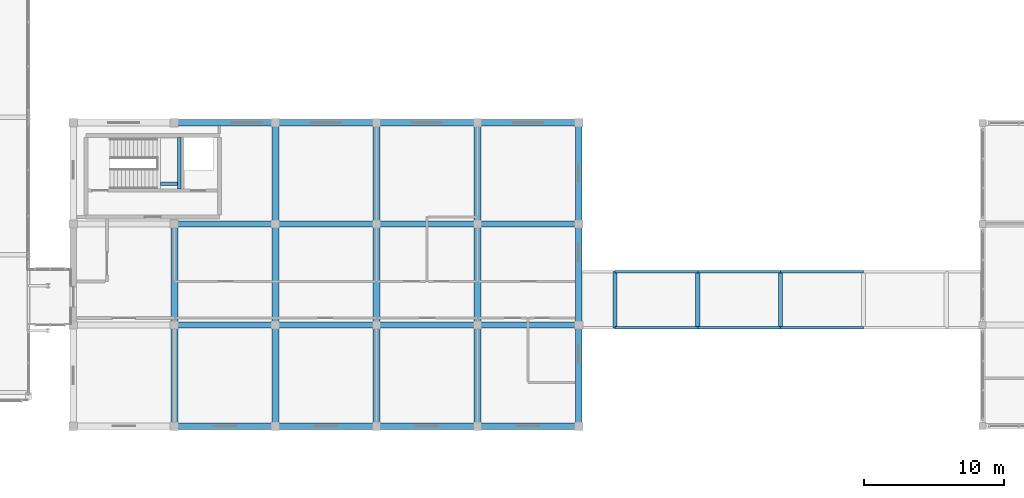
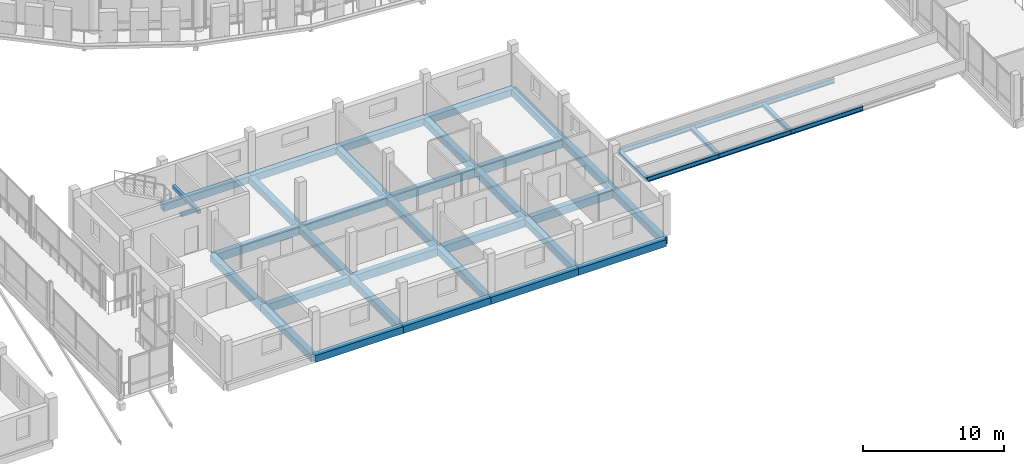
# One storey, part 35 of 128: 41 beams.
"""IFC4 building model written with IfcOpenShell, lengths in metres."""

import ifcopenshell
import ifcopenshell.guid

model = None  # the IFC model being written
_history = None  # IfcOwnerHistory: only IFC2X3 demands one
_inside = {}  # id of a spatial element -> (the spatial element, [elements in it])
_under = {}  # id of a project, library or spatial element -> (it, [spatial elements below it])
_declared = {}  # id of a project -> (the project, [libraries it declares])
_typed = {}  # id of a type object -> (the type object, [elements of that type])
_made_of = {}  # id of a material, layer set ... -> (it, [elements and type objects made of it])


def new_model(schema):
    """Start an empty IFC model of exactly this schema.

    Asked for "IFC4X3", IfcOpenShell would pick the latest addendum, in which some entities
    have other attributes; the version numbers below select the first issue.
    IFC2X3 requires an IfcOwnerHistory on every rooted entity: one is made here for all.
    """
    global model, _history
    if schema == "IFC4X3":
        model = ifcopenshell.file(schema_version=(4, 3, 0, 0))
    else:
        model = ifcopenshell.file(schema=schema)
    _inside.clear()
    _under.clear()
    _declared.clear()
    _typed.clear()
    _made_of.clear()
    _history = None
    if model.schema == "IFC2X3":
        org = make("IfcOrganization", Name="unknown")
        user = make(
            "IfcPersonAndOrganization",
            ThePerson=make("IfcPerson", FamilyName="unknown"),
            TheOrganization=org,
        )
        app = make(
            "IfcApplication",
            ApplicationDeveloper=org,
            Version="unknown",
            ApplicationFullName="unknown",
            ApplicationIdentifier="unknown",
        )
        _history = make(
            "IfcOwnerHistory",
            OwningUser=user,
            OwningApplication=app,
            ChangeAction="ADDED",
            CreationDate=0,
        )
    return model


def make(cls, **values):
    """One entity of the class cls with the attributes given. An attribute that is None is left unset."""
    return model.create_entity(
        cls, **{name: value for name, value in values.items() if value is not None}
    )


def rooted(cls, **values):
    """An entity with a GlobalId (a new one), such as an element, a storey or a relation."""
    return make(cls, GlobalId=ifcopenshell.guid.new(), OwnerHistory=_history, **values)


def si_unit(unit_type, name, prefix=None):
    """IfcSIUnit, for example si_unit("LENGTHUNIT", "METRE", prefix="MILLI")."""
    return make("IfcSIUnit", UnitType=unit_type, Prefix=prefix, Name=name)


def assignment(units):
    """IfcUnitAssignment: the units of a project."""
    return None if units is None else make("IfcUnitAssignment", Units=units)


def point(xyz):
    """IfcCartesianPoint."""
    return None if xyz is None else make("IfcCartesianPoint", Coordinates=xyz)


def direction(xyz):
    """IfcDirection."""
    return None if xyz is None else make("IfcDirection", DirectionRatios=xyz)


def frame(location, z_axis=None, x_axis=None):
    """IfcAxis2Placement3D, a coordinate frame: its origin and axes. An axis left out is left unset."""
    return make(
        "IfcAxis2Placement3D",
        Location=point(location),
        Axis=direction(z_axis),
        RefDirection=direction(x_axis),
    )


def frame_2d(location, x_axis=None):
    """IfcAxis2Placement2D, a coordinate frame in the plane: its origin and x axis."""
    return make(
        "IfcAxis2Placement2D", Location=point(location), RefDirection=direction(x_axis)
    )


def origin():
    """The frame at (0, 0, 0) with its axes left unset."""
    return frame((0.0, 0.0, 0.0))


def origin_2d():
    """The frame at (0, 0) in the plane with its x axis left unset."""
    return frame_2d((0.0, 0.0))


def place(relative_to, where):
    """IfcLocalPlacement: puts the frame where relative to a parent placement (None: the world)."""
    return make(
        "IfcLocalPlacement", PlacementRelTo=relative_to, RelativePlacement=where
    )


def context(
    kind, dimensions, precision=None, world=None, true_north=None, identifier=None
):
    """IfcGeometricRepresentationContext, for example the 3D "Model" context."""
    return make(
        "IfcGeometricRepresentationContext",
        ContextIdentifier=identifier,
        ContextType=kind,
        CoordinateSpaceDimension=dimensions,
        Precision=precision,
        WorldCoordinateSystem=world,
        TrueNorth=true_north,
    )


def subcontext(parent, identifier, kind, view, scale=None):
    """IfcGeometricRepresentationSubContext, for example "Body" below "Model"."""
    return make(
        "IfcGeometricRepresentationSubContext",
        ContextIdentifier=identifier,
        ContextType=kind,
        ParentContext=parent,
        TargetScale=scale,
        TargetView=view,
    )


def project(units=None, contexts=None):
    """IfcProject with its units and contexts."""
    return rooted(
        "IfcProject",
        Name="project",
        RepresentationContexts=contexts,
        UnitsInContext=assignment(units),
    )


def spatial(cls, under=None, at=None, **own):
    """A site, building, storey or space (cls), placed at a placement, below another one or the project."""
    s = rooted(cls, ObjectPlacement=at, **own)
    if under is not None:
        _under.setdefault(under.id(), (under, []))[1].append(s)
    return s


def profile(cls, at=None, kind="AREA", **sizes):
    """A parametric profile (cls). Its sizes go by their IFC names, for example OverallWidth=200.0."""
    return make(cls, ProfileType=kind, Position=at, **sizes)


def rectangle(**sizes):
    """IfcRectangleProfileDef."""
    return profile("IfcRectangleProfileDef", **sizes)


def i_section(**sizes):
    """IfcIShapeProfileDef."""
    return profile("IfcIShapeProfileDef", **sizes)


def extrude(swept, where, along, depth):
    """IfcExtrudedAreaSolid: the profile swept, set in the frame where, extruded along a direction by depth."""
    return make(
        "IfcExtrudedAreaSolid",
        SweptArea=swept,
        Position=where,
        ExtrudedDirection=direction(along),
        Depth=depth,
    )


def shape(context_of_items, identifier, shape_type, items):
    """IfcShapeRepresentation: the items that make up one representation, for example the "Body"."""
    return make(
        "IfcShapeRepresentation",
        ContextOfItems=context_of_items,
        RepresentationIdentifier=identifier,
        RepresentationType=shape_type,
        Items=items,
    )


def material(Name=None, Category=None):
    """IfcMaterial."""
    return make("IfcMaterial", Name=Name, Category=Category)


def material_profile(
    of_material, cross_section, Name=None, Category=None, Priority=None
):
    """IfcMaterialProfile: a cross section and its material."""
    return make(
        "IfcMaterialProfile",
        Name=Name,
        Material=of_material,
        Profile=cross_section,
        Priority=Priority,
        Category=Category,
    )


def profile_set(profiles, Name=None, composite=None):
    """IfcMaterialProfileSet."""
    return make(
        "IfcMaterialProfileSet",
        Name=Name,
        MaterialProfiles=profiles,
        CompositeProfile=composite,
    )


def made_of(thing, what):
    """Note that an element or type object is made of a material, layer set ...; save() writes the relation."""
    if what is not None:
        _made_of.setdefault(what.id(), (what, []))[1].append(thing)
    return thing


def type_object(cls, material=None, **own):
    """A type object (cls), such as IfcWallType, which elements share."""
    return made_of(rooted(cls, **own), material)


def element(
    cls,
    number,
    at=None,
    inside=None,
    cuts=None,
    type_object=None,
    material=None,
    context=None,
    identifier="Body",
    shape_type=None,
    held_by="IfcProductDefinitionShape",
    body=None,
    shapes=None,
    **own,
):
    """One element of the class cls, such as IfcWall. Its Tag is "e" and its number.

    at: its placement. inside: the storey or other place that contains it. cuts: it is an
    opening in that element (IfcRelVoidsElement). A single representation is given by context,
    identifier, shape_type and body (its items); several are given by shapes. held_by: the class
    of the entity that holds the representations. save() writes the other relations.
    """
    e = rooted(cls, Tag="e%d" % number, ObjectPlacement=at, **own)
    if body is not None:
        shapes = [shape(context, identifier, shape_type, body)]
    if shapes is not None:
        e.Representation = make(held_by, Representations=shapes)
    if inside is not None:
        _inside.setdefault(inside.id(), (inside, []))[1].append(e)
    if cuts is not None:
        rooted(
            "IfcRelVoidsElement", RelatingBuildingElement=cuts, RelatedOpeningElement=e
        )
    if type_object is not None:
        _typed.setdefault(type_object.id(), (type_object, []))[1].append(e)
    return made_of(e, material)


def aggregate(whole, parts):
    """IfcRelAggregates: a whole, such as a stair, and the parts it consists of."""
    return rooted("IfcRelAggregates", RelatingObject=whole, RelatedObjects=parts)


def save(model, path):
    """Write the relations noted so far, then the file.

    IfcRelAggregates (storeys below a building ...), IfcRelContainedInSpatialStructure (elements
    in a storey), IfcRelDefinesByType, IfcRelAssociatesMaterial and IfcRelDeclares: one each for
    every whole, place, type object, material and project.
    """
    for whole, parts in _under.values():
        aggregate(whole, parts)
    for where, things in _inside.values():
        rooted(
            "IfcRelContainedInSpatialStructure",
            RelatedElements=things,
            RelatingStructure=where,
        )
    for kind, things in _typed.values():
        rooted("IfcRelDefinesByType", RelatedObjects=things, RelatingType=kind)
    for what, things in _made_of.values():
        rooted("IfcRelAssociatesMaterial", RelatedObjects=things, RelatingMaterial=what)
    for by, libraries in _declared.values():
        rooted("IfcRelDeclares", RelatingContext=by, RelatedDefinitions=libraries)
    model.write(path)


model = new_model("IFC4")

# Units and contexts
model_context = context("Model", 3, precision=1e-05, world=origin(), true_north=direction((0.0, 1.0)))
body_context = subcontext(model_context, "Body", "Model", "MODEL_VIEW")
ifc_project = project(units=[si_unit("LENGTHUNIT", "METRE"), si_unit("AREAUNIT", "SQUARE_METRE"), si_unit("VOLUMEUNIT", "CUBIC_METRE"), si_unit("PLANEANGLEUNIT", "RADIAN"), si_unit("MASSUNIT", "GRAM", prefix="KILO")], contexts=[model_context])

# Site, building, storey
site_placement = place(None, origin())
site = spatial("IfcSite", under=ifc_project, at=site_placement, CompositionType="ELEMENT")
building_placement = place(site_placement, origin())
building = spatial("IfcBuilding", under=site, at=building_placement, Name="Zornivar Specialist Clinic", CompositionType="ELEMENT")
storey_placement = place(building_placement, frame((0.0, 0.0, 4.5)))
storey = spatial("IfcBuildingStorey", under=building, at=storey_placement, Name="L01", CompositionType="ELEMENT", Elevation=4.5)

# Beams
ifc_material_1 = material(Name="Concrete C30/37", Category="concrete")
ifc_material_profile_1 = material_profile(ifc_material_1, rectangle(XDim=0.25, YDim=0.300048828125, at=origin_2d()), Name="RC 250x300")
ifc_profile_set_1 = profile_set([ifc_material_profile_1], Name="Concrete C30/37")
beam_type_1 = type_object("IfcBeamType", Name="BM-LAND-250x300", PredefinedType="BEAM", material=ifc_profile_set_1)
beam_1_placement = place(storey_placement, frame((65.159912109375, 16.89990234375, 1.6201171875), z_axis=(0.0, 1.0, 0.0), x_axis=(-1.0, 0.0, 0.0)))
element("IfcBeam", 1, at=beam_1_placement, inside=storey, type_object=beam_type_1, Name="bm:stair:C5:L01:lE", PredefinedType="BEAM", context=body_context, shape_type="SweptSolid", body=[
    extrude(rectangle(XDim=0.25, YDim=0.300048828125, at=origin_2d()), origin(), (0.0, 0.0, 1.0), 3.66015625),
])
beam_2_placement = place(storey_placement, frame((63.81494140625, 17.280029296875, 1.6201171875), z_axis=(1.0, 0.0, 0.0), x_axis=(0.0, 1.0, 0.0)))
element("IfcBeam", 2, at=beam_2_placement, inside=storey, type_object=beam_type_1, Name="bm:stair:C5:L01:lS", PredefinedType="BEAM", context=body_context, shape_type="SweptSolid", body=[
    extrude(rectangle(XDim=0.25, YDim=0.300048828125, at=origin_2d()), origin(), (0.0, 0.0, 1.0), 1.2099609375),
])
ifc_material_2 = material(Name="Concrete C30/37", Category="concrete")
ifc_material_profile_2 = material_profile(ifc_material_2, rectangle(XDim=0.449951171875, YDim=0.699951171875, at=origin_2d()), Name="RC 450x700")
ifc_profile_set_2 = profile_set([ifc_material_profile_2], Name="Concrete C30/37")
beam_type_2 = type_object("IfcBeamType", Name="BM-RC-450x700", PredefinedType="BEAM", material=ifc_profile_set_2)
for number, where, z_axis, x_axis, name in (
    (3, (64.800048828125, 7.199951171875, -0.699951171875), (1.0, 0.0, 0.0), (0.0, 1.0, 0.0), "bm:V3:L01:x:72:1"),
    (4, (72.0, 7.199951171875, -0.699951171875), (1.0, 0.0, 0.0), (0.0, 1.0, 0.0), "bm:V3:L01:x:72:2"),
    (5, (79.199951171875, 7.199951171875, -0.699951171875), (1.0, 0.0, 0.0), (0.0, 1.0, 0.0), "bm:V3:L01:x:72:3"),
):
    element("IfcBeam", number, at=place(storey_placement, frame(where, z_axis=z_axis, x_axis=x_axis)), inside=storey, type_object=beam_type_2, Name=name, PredefinedType="BEAM", context=body_context, shape_type="SweptSolid", body=[
        extrude(rectangle(XDim=0.449951171875, YDim=0.699951171875, at=origin_2d()), origin(), (0.0, 0.0, 1.0), 7.199951171875),
    ])
beam_3_placement = place(storey_placement, frame((86.39990234375, 7.199951171875, -0.699951171875), z_axis=(1.0, 0.0, 0.0), x_axis=(0.0, 1.0, 0.0)))
element("IfcBeam", 6, at=beam_3_placement, inside=storey, type_object=beam_type_2, Name="bm:V3:L01:x:72:4", PredefinedType="BEAM", context=body_context, shape_type="SweptSolid", body=[
    extrude(rectangle(XDim=0.449951171875, YDim=0.699951171875, at=origin_2d()), origin(), (0.0, 0.0, 1.0), 7.2001953125),
])
for number, where, z_axis, x_axis, name in (
    (7, (64.800048828125, 14.39990234375, -0.699951171875), (1.0, 0.0, 0.0), (0.0, 1.0, 0.0), "bm:V3:L01:x:144:1"),
    (8, (72.0, 14.39990234375, -0.699951171875), (1.0, 0.0, 0.0), (0.0, 1.0, 0.0), "bm:V3:L01:x:144:2"),
    (9, (79.199951171875, 14.39990234375, -0.699951171875), (1.0, 0.0, 0.0), (0.0, 1.0, 0.0), "bm:V3:L01:x:144:3"),
):
    element("IfcBeam", number, at=place(storey_placement, frame(where, z_axis=z_axis, x_axis=x_axis)), inside=storey, type_object=beam_type_2, Name=name, PredefinedType="BEAM", context=body_context, shape_type="SweptSolid", body=[
        extrude(rectangle(XDim=0.449951171875, YDim=0.699951171875, at=origin_2d()), origin(), (0.0, 0.0, 1.0), 7.199951171875),
    ])
beam_4_placement = place(storey_placement, frame((86.39990234375, 14.39990234375, -0.699951171875), z_axis=(1.0, 0.0, 0.0), x_axis=(0.0, 1.0, 0.0)))
element("IfcBeam", 10, at=beam_4_placement, inside=storey, type_object=beam_type_2, Name="bm:V3:L01:x:144:4", PredefinedType="BEAM", context=body_context, shape_type="SweptSolid", body=[
    extrude(rectangle(XDim=0.449951171875, YDim=0.699951171875, at=origin_2d()), origin(), (0.0, 0.0, 1.0), 7.2001953125),
])
ifc_material_3 = material(Name="Concrete C30/37", Category="concrete")
ifc_material_profile_3 = material_profile(ifc_material_3, rectangle(XDim=0.47998046875, YDim=0.60009765625, at=origin_2d()), Name="RC 480x600")
ifc_profile_set_3 = profile_set([ifc_material_profile_3], Name="Concrete C30/37")
beam_type_3 = type_object("IfcBeamType", Name="BM-RC-480x600", PredefinedType="BEAM", material=ifc_profile_set_3)
for number, where, z_axis, x_axis, name in (
    (11, (64.800048828125, 0.0, -0.64990234375), (0.0, 1.0, 0.0), (-1.0, 0.0, 0.0), "bm:V3:L01:y:648:0"),
    (12, (64.800048828125, 7.199951171875, -0.64990234375), (0.0, 1.0, 0.0), (-1.0, 0.0, 0.0), "bm:V3:L01:y:648:1"),
    (13, (72.0, 0.0, -0.64990234375), (0.0, 1.0, 0.0), (-1.0, 0.0, 0.0), "bm:V3:L01:y:720:0"),
    (14, (72.0, 7.199951171875, -0.64990234375), (0.0, 1.0, 0.0), (-1.0, 0.0, 0.0), "bm:V3:L01:y:720:1"),
):
    element("IfcBeam", number, at=place(storey_placement, frame(where, z_axis=z_axis, x_axis=x_axis)), inside=storey, type_object=beam_type_3, Name=name, PredefinedType="BEAM", context=body_context, shape_type="SweptSolid", body=[
        extrude(rectangle(XDim=0.47998046875, YDim=0.60009765625, at=origin_2d()), origin(), (0.0, 0.0, 1.0), 7.199951171875),
    ])
beam_5_placement = place(storey_placement, frame((72.0, 14.39990234375, -0.64990234375), z_axis=(0.0, 1.0, 0.0), x_axis=(-1.0, 0.0, 0.0)))
element("IfcBeam", 15, at=beam_5_placement, inside=storey, type_object=beam_type_3, Name="bm:V3:L01:y:720:2", PredefinedType="BEAM", context=body_context, shape_type="SweptSolid", body=[
    extrude(rectangle(XDim=0.47998046875, YDim=0.60009765625, at=origin_2d()), origin(), (0.0, 0.0, 1.0), 7.2001953125),
])
for number, where, z_axis, x_axis, name in (
    (16, (79.199951171875, 0.0, -0.64990234375), (0.0, 1.0, 0.0), (-1.0, 0.0, 0.0), "bm:V3:L01:y:792:0"),
    (17, (79.199951171875, 7.199951171875, -0.64990234375), (0.0, 1.0, 0.0), (-1.0, 0.0, 0.0), "bm:V3:L01:y:792:1"),
):
    element("IfcBeam", number, at=place(storey_placement, frame(where, z_axis=z_axis, x_axis=x_axis)), inside=storey, type_object=beam_type_3, Name=name, PredefinedType="BEAM", context=body_context, shape_type="SweptSolid", body=[
        extrude(rectangle(XDim=0.47998046875, YDim=0.60009765625, at=origin_2d()), origin(), (0.0, 0.0, 1.0), 7.199951171875),
    ])
beam_6_placement = place(storey_placement, frame((79.199951171875, 14.39990234375, -0.64990234375), z_axis=(0.0, 1.0, 0.0), x_axis=(-1.0, 0.0, 0.0)))
element("IfcBeam", 18, at=beam_6_placement, inside=storey, type_object=beam_type_3, Name="bm:V3:L01:y:792:2", PredefinedType="BEAM", context=body_context, shape_type="SweptSolid", body=[
    extrude(rectangle(XDim=0.47998046875, YDim=0.60009765625, at=origin_2d()), origin(), (0.0, 0.0, 1.0), 7.2001953125),
])
for number, where, z_axis, x_axis, name in (
    (19, (86.39990234375, 0.0, -0.64990234375), (0.0, 1.0, 0.0), (-1.0, 0.0, 0.0), "bm:V3:L01:y:864:0"),
    (20, (86.39990234375, 7.199951171875, -0.64990234375), (0.0, 1.0, 0.0), (-1.0, 0.0, 0.0), "bm:V3:L01:y:864:1"),
):
    element("IfcBeam", number, at=place(storey_placement, frame(where, z_axis=z_axis, x_axis=x_axis)), inside=storey, type_object=beam_type_3, Name=name, PredefinedType="BEAM", context=body_context, shape_type="SweptSolid", body=[
        extrude(rectangle(XDim=0.47998046875, YDim=0.60009765625, at=origin_2d()), origin(), (0.0, 0.0, 1.0), 7.199951171875),
    ])
beam_7_placement = place(storey_placement, frame((86.39990234375, 14.39990234375, -0.64990234375), z_axis=(0.0, 1.0, 0.0), x_axis=(-1.0, 0.0, 0.0)))
element("IfcBeam", 21, at=beam_7_placement, inside=storey, type_object=beam_type_3, Name="bm:V3:L01:y:864:2", PredefinedType="BEAM", context=body_context, shape_type="SweptSolid", body=[
    extrude(rectangle(XDim=0.47998046875, YDim=0.60009765625, at=origin_2d()), origin(), (0.0, 0.0, 1.0), 7.2001953125),
])
ifc_material_4 = material(Name="Concrete C30/37", Category="concrete")
ifc_material_profile_4 = material_profile(ifc_material_4, rectangle(XDim=0.4599609375, YDim=0.60009765625, at=origin_2d()), Name="RC 460x600")
ifc_profile_set_4 = profile_set([ifc_material_profile_4], Name="Concrete C30/37")
beam_type_4 = type_object("IfcBeamType", Name="BM-RC-SPANDREL-460x600", PredefinedType="SPANDREL", material=ifc_profile_set_4)
for number, where, z_axis, x_axis, name in (
    (22, (64.800048828125, 0.0, -0.64990234375), (1.0, 0.0, 0.0), (0.0, 1.0, 0.0), "bm:V3:L01:x:0:1"),
    (23, (72.0, 0.0, -0.64990234375), (1.0, 0.0, 0.0), (0.0, 1.0, 0.0), "bm:V3:L01:x:0:2"),
    (24, (79.199951171875, 0.0, -0.64990234375), (1.0, 0.0, 0.0), (0.0, 1.0, 0.0), "bm:V3:L01:x:0:3"),
):
    element("IfcBeam", number, at=place(storey_placement, frame(where, z_axis=z_axis, x_axis=x_axis)), inside=storey, type_object=beam_type_4, Name=name, PredefinedType="SPANDREL", context=body_context, shape_type="SweptSolid", body=[
        extrude(rectangle(XDim=0.4599609375, YDim=0.60009765625, at=origin_2d()), origin(), (0.0, 0.0, 1.0), 7.199951171875),
    ])
beam_8_placement = place(storey_placement, frame((86.39990234375, 0.0, -0.64990234375), z_axis=(1.0, 0.0, 0.0), x_axis=(0.0, 1.0, 0.0)))
element("IfcBeam", 25, at=beam_8_placement, inside=storey, type_object=beam_type_4, Name="bm:V3:L01:x:0:4", PredefinedType="SPANDREL", context=body_context, shape_type="SweptSolid", body=[
    extrude(rectangle(XDim=0.4599609375, YDim=0.60009765625, at=origin_2d()), origin(), (0.0, 0.0, 1.0), 7.2001953125),
])
for number, where, z_axis, x_axis, name in (
    (26, (64.800048828125, 21.60009765625, -0.64990234375), (1.0, 0.0, 0.0), (0.0, 1.0, 0.0), "bm:V3:L01:x:216:1"),
    (27, (72.0, 21.60009765625, -0.64990234375), (1.0, 0.0, 0.0), (0.0, 1.0, 0.0), "bm:V3:L01:x:216:2"),
    (28, (79.199951171875, 21.60009765625, -0.64990234375), (1.0, 0.0, 0.0), (0.0, 1.0, 0.0), "bm:V3:L01:x:216:3"),
):
    element("IfcBeam", number, at=place(storey_placement, frame(where, z_axis=z_axis, x_axis=x_axis)), inside=storey, type_object=beam_type_4, Name=name, PredefinedType="SPANDREL", context=body_context, shape_type="SweptSolid", body=[
        extrude(rectangle(XDim=0.4599609375, YDim=0.60009765625, at=origin_2d()), origin(), (0.0, 0.0, 1.0), 7.199951171875),
    ])
beam_9_placement = place(storey_placement, frame((86.39990234375, 21.60009765625, -0.64990234375), z_axis=(1.0, 0.0, 0.0), x_axis=(0.0, 1.0, 0.0)))
element("IfcBeam", 29, at=beam_9_placement, inside=storey, type_object=beam_type_4, Name="bm:V3:L01:x:216:4", PredefinedType="SPANDREL", context=body_context, shape_type="SweptSolid", body=[
    extrude(rectangle(XDim=0.4599609375, YDim=0.60009765625, at=origin_2d()), origin(), (0.0, 0.0, 1.0), 7.2001953125),
])
for number, where, z_axis, x_axis, name in (
    (30, (93.60009765625, 0.0, -0.64990234375), (0.0, 1.0, 0.0), (-1.0, 0.0, 0.0), "bm:V3:L01:y:936:0"),
    (31, (93.60009765625, 7.199951171875, -0.64990234375), (0.0, 1.0, 0.0), (-1.0, 0.0, 0.0), "bm:V3:L01:y:936:1"),
):
    element("IfcBeam", number, at=place(storey_placement, frame(where, z_axis=z_axis, x_axis=x_axis)), inside=storey, type_object=beam_type_4, Name=name, PredefinedType="SPANDREL", context=body_context, shape_type="SweptSolid", body=[
        extrude(rectangle(XDim=0.4599609375, YDim=0.60009765625, at=origin_2d()), origin(), (0.0, 0.0, 1.0), 7.199951171875),
    ])
beam_10_placement = place(storey_placement, frame((93.60009765625, 14.39990234375, -0.64990234375), z_axis=(0.0, 1.0, 0.0), x_axis=(-1.0, 0.0, 0.0)))
element("IfcBeam", 32, at=beam_10_placement, inside=storey, type_object=beam_type_4, Name="bm:V3:L01:y:936:2", PredefinedType="SPANDREL", context=body_context, shape_type="SweptSolid", body=[
    extrude(rectangle(XDim=0.4599609375, YDim=0.60009765625, at=origin_2d()), origin(), (0.0, 0.0, 1.0), 7.2001953125),
])
ifc_material_5 = material(Name="Steel S355J2", Category="steel")
ifc_material_profile_5 = material_profile(ifc_material_5, i_section(OverallWidth=0.300048828125, OverallDepth=0.31005859375, WebThickness=0.009033203125, FlangeThickness=0.015380859375, FilletRadius=0.027099609375, at=origin_2d()), Name="HEA 320")
ifc_profile_set_5 = profile_set([ifc_material_profile_5], Name="Steel S355J2")
beam_type_5 = type_object("IfcBeamType", Name="BM-STL-HEA320", PredefinedType="BEAM", material=ifc_profile_set_5)
for number, where, z_axis, x_axis, name in (
    (33, (96.199951171875, 7.0, -0.419921875), (0.0, 1.0, 0.0), (-1.0, 0.0, 0.0), "bm:BR4:L01:t:962"),
    (34, (102.10009765625, 7.0, -0.419921875), (0.0, 1.0, 0.0), (-1.0, 0.0, 0.0), "bm:BR4:L01:t:1021"),
    (35, (108.0, 7.0, -0.419921875), (0.0, 1.0, 0.0), (-1.0, 0.0, 0.0), "bm:BR4:L01:t:1080"),
):
    element("IfcBeam", number, at=place(storey_placement, frame(where, z_axis=z_axis, x_axis=x_axis)), inside=storey, type_object=beam_type_5, Name=name, PredefinedType="BEAM", context=body_context, shape_type="SweptSolid", body=[
        extrude(i_section(OverallWidth=0.300048828125, OverallDepth=0.31005859375, WebThickness=0.009033203125, FlangeThickness=0.015380859375, FilletRadius=0.027099609375, at=origin_2d()), origin(), (0.0, 0.0, 1.0), 4.0),
    ])
ifc_material_6 = material(Name="Steel S355J2", Category="steel")
ifc_material_profile_6 = material_profile(ifc_material_6, i_section(OverallWidth=0.179931640625, OverallDepth=0.39990234375, WebThickness=0.008544921875, FlangeThickness=0.013427734375, FilletRadius=0.02099609375, at=origin_2d()), Name="IPE 400")
ifc_profile_set_6 = profile_set([ifc_material_profile_6], Name="Steel S355J2")
beam_type_6 = type_object("IfcBeamType", Name="BM-STL-IPE400", PredefinedType="BEAM", material=ifc_profile_set_6)
beam_11_placement = place(storey_placement, frame((96.199951171875, 7.0, -0.419921875), z_axis=(1.0, 0.0, 0.0), x_axis=(0.0, 1.0, 0.0)))
element("IfcBeam", 36, at=beam_11_placement, inside=storey, type_object=beam_type_6, Name="bm:BR4:L01:g:70:0", PredefinedType="BEAM", context=body_context, shape_type="SweptSolid", body=[
    extrude(i_section(OverallWidth=0.179931640625, OverallDepth=0.39990234375, WebThickness=0.008544921875, FlangeThickness=0.013427734375, FilletRadius=0.02099609375, at=origin_2d()), origin(), (0.0, 0.0, 1.0), 5.900146484375),
])
for number, where, z_axis, x_axis, name in (
    (37, (102.10009765625, 7.0, -0.419921875), (1.0, 0.0, 0.0), (0.0, 1.0, 0.0), "bm:BR4:L01:g:70:1"),
    (38, (108.0, 7.0, -0.419921875), (1.0, 0.0, 0.0), (0.0, 1.0, 0.0), "bm:BR4:L01:g:70:2"),
):
    element("IfcBeam", number, at=place(storey_placement, frame(where, z_axis=z_axis, x_axis=x_axis)), inside=storey, type_object=beam_type_6, Name=name, PredefinedType="BEAM", context=body_context, shape_type="SweptSolid", body=[
        extrude(i_section(OverallWidth=0.179931640625, OverallDepth=0.39990234375, WebThickness=0.008544921875, FlangeThickness=0.013427734375, FilletRadius=0.02099609375, at=origin_2d()), origin(), (0.0, 0.0, 1.0), 5.89990234375),
    ])
beam_12_placement = place(storey_placement, frame((96.199951171875, 11.0, -0.419921875), z_axis=(1.0, 0.0, 0.0), x_axis=(0.0, 1.0, 0.0)))
element("IfcBeam", 39, at=beam_12_placement, inside=storey, type_object=beam_type_6, Name="bm:BR4:L01:g:110:0", PredefinedType="BEAM", context=body_context, shape_type="SweptSolid", body=[
    extrude(i_section(OverallWidth=0.179931640625, OverallDepth=0.39990234375, WebThickness=0.008544921875, FlangeThickness=0.013427734375, FilletRadius=0.02099609375, at=origin_2d()), origin(), (0.0, 0.0, 1.0), 5.900146484375),
])
for number, where, z_axis, x_axis, name in (
    (40, (102.10009765625, 11.0, -0.419921875), (1.0, 0.0, 0.0), (0.0, 1.0, 0.0), "bm:BR4:L01:g:110:1"),
    (41, (108.0, 11.0, -0.419921875), (1.0, 0.0, 0.0), (0.0, 1.0, 0.0), "bm:BR4:L01:g:110:2"),
):
    element("IfcBeam", number, at=place(storey_placement, frame(where, z_axis=z_axis, x_axis=x_axis)), inside=storey, type_object=beam_type_6, Name=name, PredefinedType="BEAM", context=body_context, shape_type="SweptSolid", body=[
        extrude(i_section(OverallWidth=0.179931640625, OverallDepth=0.39990234375, WebThickness=0.008544921875, FlangeThickness=0.013427734375, FilletRadius=0.02099609375, at=origin_2d()), origin(), (0.0, 0.0, 1.0), 5.89990234375),
    ])

save(model, "model.ifc")
